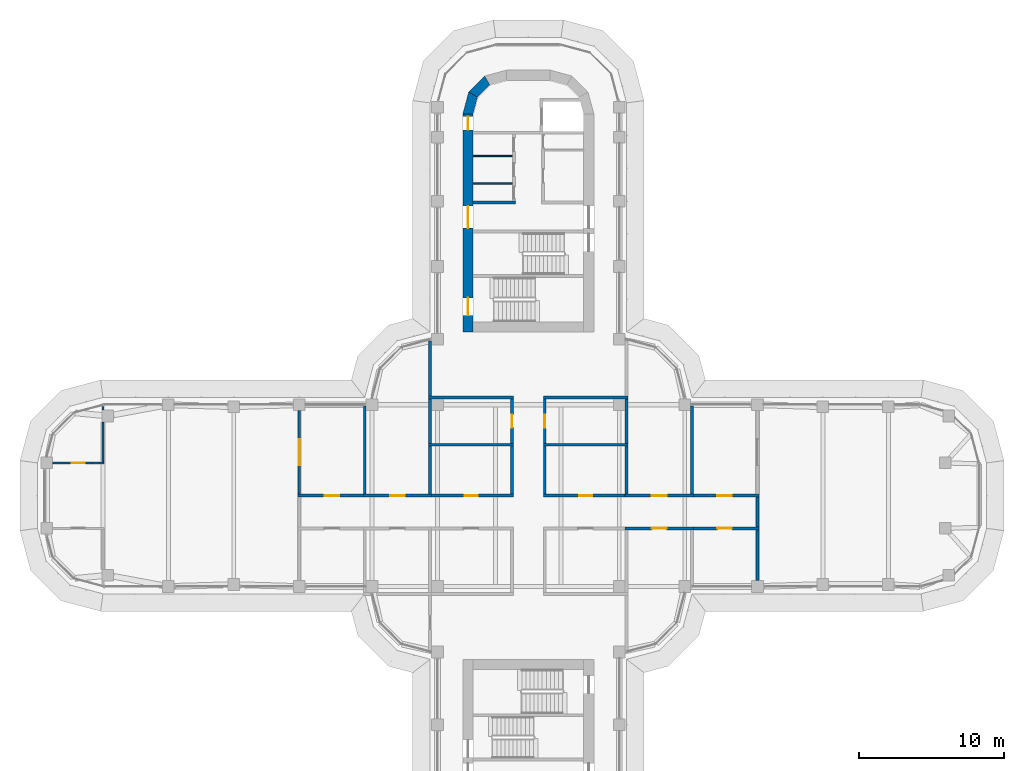
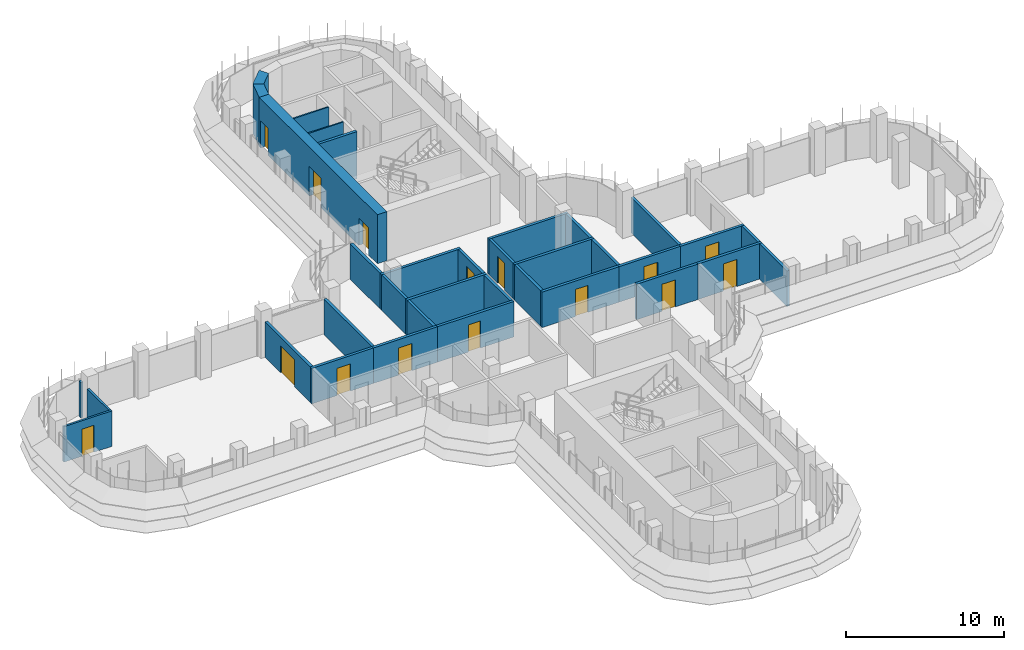
# One storey, part 14 of 19: 35 walls, 15 doors, 15 openings.
"""IFC4 building model written with IfcOpenShell, lengths in metres."""

import ifcopenshell
import ifcopenshell.guid

model = None  # the IFC model being written
_history = None  # IfcOwnerHistory: only IFC2X3 demands one
_inside = {}  # id of a spatial element -> (the spatial element, [elements in it])
_under = {}  # id of a project, library or spatial element -> (it, [spatial elements below it])
_declared = {}  # id of a project -> (the project, [libraries it declares])
_typed = {}  # id of a type object -> (the type object, [elements of that type])
_made_of = {}  # id of a material, layer set ... -> (it, [elements and type objects made of it])


def new_model(schema):
    """Start an empty IFC model of exactly this schema.

    Asked for "IFC4X3", IfcOpenShell would pick the latest addendum, in which some entities
    have other attributes; the version numbers below select the first issue.
    IFC2X3 requires an IfcOwnerHistory on every rooted entity: one is made here for all.
    """
    global model, _history
    if schema == "IFC4X3":
        model = ifcopenshell.file(schema_version=(4, 3, 0, 0))
    else:
        model = ifcopenshell.file(schema=schema)
    _inside.clear()
    _under.clear()
    _declared.clear()
    _typed.clear()
    _made_of.clear()
    _history = None
    if model.schema == "IFC2X3":
        org = make("IfcOrganization", Name="unknown")
        user = make(
            "IfcPersonAndOrganization",
            ThePerson=make("IfcPerson", FamilyName="unknown"),
            TheOrganization=org,
        )
        app = make(
            "IfcApplication",
            ApplicationDeveloper=org,
            Version="unknown",
            ApplicationFullName="unknown",
            ApplicationIdentifier="unknown",
        )
        _history = make(
            "IfcOwnerHistory",
            OwningUser=user,
            OwningApplication=app,
            ChangeAction="ADDED",
            CreationDate=0,
        )
    return model


def make(cls, **values):
    """One entity of the class cls with the attributes given. An attribute that is None is left unset."""
    return model.create_entity(
        cls, **{name: value for name, value in values.items() if value is not None}
    )


def rooted(cls, **values):
    """An entity with a GlobalId (a new one), such as an element, a storey or a relation."""
    return make(cls, GlobalId=ifcopenshell.guid.new(), OwnerHistory=_history, **values)


def si_unit(unit_type, name, prefix=None):
    """IfcSIUnit, for example si_unit("LENGTHUNIT", "METRE", prefix="MILLI")."""
    return make("IfcSIUnit", UnitType=unit_type, Prefix=prefix, Name=name)


def assignment(units):
    """IfcUnitAssignment: the units of a project."""
    return None if units is None else make("IfcUnitAssignment", Units=units)


def point(xyz):
    """IfcCartesianPoint."""
    return None if xyz is None else make("IfcCartesianPoint", Coordinates=xyz)


def direction(xyz):
    """IfcDirection."""
    return None if xyz is None else make("IfcDirection", DirectionRatios=xyz)


def frame(location, z_axis=None, x_axis=None):
    """IfcAxis2Placement3D, a coordinate frame: its origin and axes. An axis left out is left unset."""
    return make(
        "IfcAxis2Placement3D",
        Location=point(location),
        Axis=direction(z_axis),
        RefDirection=direction(x_axis),
    )


def frame_2d(location, x_axis=None):
    """IfcAxis2Placement2D, a coordinate frame in the plane: its origin and x axis."""
    return make(
        "IfcAxis2Placement2D", Location=point(location), RefDirection=direction(x_axis)
    )


def origin():
    """The frame at (0, 0, 0) with its axes left unset."""
    return frame((0.0, 0.0, 0.0))


def place(relative_to, where):
    """IfcLocalPlacement: puts the frame where relative to a parent placement (None: the world)."""
    return make(
        "IfcLocalPlacement", PlacementRelTo=relative_to, RelativePlacement=where
    )


def context(
    kind, dimensions, precision=None, world=None, true_north=None, identifier=None
):
    """IfcGeometricRepresentationContext, for example the 3D "Model" context."""
    return make(
        "IfcGeometricRepresentationContext",
        ContextIdentifier=identifier,
        ContextType=kind,
        CoordinateSpaceDimension=dimensions,
        Precision=precision,
        WorldCoordinateSystem=world,
        TrueNorth=true_north,
    )


def subcontext(parent, identifier, kind, view, scale=None):
    """IfcGeometricRepresentationSubContext, for example "Body" below "Model"."""
    return make(
        "IfcGeometricRepresentationSubContext",
        ContextIdentifier=identifier,
        ContextType=kind,
        ParentContext=parent,
        TargetScale=scale,
        TargetView=view,
    )


def project(units=None, contexts=None):
    """IfcProject with its units and contexts."""
    return rooted(
        "IfcProject",
        Name="project",
        RepresentationContexts=contexts,
        UnitsInContext=assignment(units),
    )


def spatial(cls, under=None, at=None, **own):
    """A site, building, storey or space (cls), placed at a placement, below another one or the project."""
    s = rooted(cls, ObjectPlacement=at, **own)
    if under is not None:
        _under.setdefault(under.id(), (under, []))[1].append(s)
    return s


def polyline(points):
    """IfcPolyline through the points."""
    return make("IfcPolyline", Points=[point(p) for p in points])


def profile(cls, at=None, kind="AREA", **sizes):
    """A parametric profile (cls). Its sizes go by their IFC names, for example OverallWidth=200.0."""
    return make(cls, ProfileType=kind, Position=at, **sizes)


def rectangle(**sizes):
    """IfcRectangleProfileDef."""
    return profile("IfcRectangleProfileDef", **sizes)


def outline(outer, holes=None, kind="AREA"):
    """IfcArbitraryClosedProfileDef: a profile drawn as a closed curve; with holes, ...WithVoids."""
    if holes is None:
        return make("IfcArbitraryClosedProfileDef", ProfileType=kind, OuterCurve=outer)
    return make(
        "IfcArbitraryProfileDefWithVoids",
        ProfileType=kind,
        OuterCurve=outer,
        InnerCurves=holes,
    )


def extrude(swept, where, along, depth):
    """IfcExtrudedAreaSolid: the profile swept, set in the frame where, extruded along a direction by depth."""
    return make(
        "IfcExtrudedAreaSolid",
        SweptArea=swept,
        Position=where,
        ExtrudedDirection=direction(along),
        Depth=depth,
    )


def shape(context_of_items, identifier, shape_type, items):
    """IfcShapeRepresentation: the items that make up one representation, for example the "Body"."""
    return make(
        "IfcShapeRepresentation",
        ContextOfItems=context_of_items,
        RepresentationIdentifier=identifier,
        RepresentationType=shape_type,
        Items=items,
    )


def material(Name=None, Category=None):
    """IfcMaterial."""
    return make("IfcMaterial", Name=Name, Category=Category)


def layer(
    of_material, thickness, ventilated=None, Name=None, Category=None, Priority=None
):
    """IfcMaterialLayer: one layer of a wall or slab, of a material (None: an air gap)."""
    return make(
        "IfcMaterialLayer",
        Material=of_material,
        LayerThickness=thickness,
        IsVentilated=ventilated,
        Name=Name,
        Category=Category,
        Priority=Priority,
    )


def layer_set(layers, Name=None):
    """IfcMaterialLayerSet."""
    return make("IfcMaterialLayerSet", MaterialLayers=layers, LayerSetName=Name)


def made_of(thing, what):
    """Note that an element or type object is made of a material, layer set ...; save() writes the relation."""
    if what is not None:
        _made_of.setdefault(what.id(), (what, []))[1].append(thing)
    return thing


def type_object(cls, material=None, **own):
    """A type object (cls), such as IfcWallType, which elements share."""
    return made_of(rooted(cls, **own), material)


def element(
    cls,
    number,
    at=None,
    inside=None,
    cuts=None,
    type_object=None,
    material=None,
    context=None,
    identifier="Body",
    shape_type=None,
    held_by="IfcProductDefinitionShape",
    body=None,
    shapes=None,
    **own,
):
    """One element of the class cls, such as IfcWall. Its Tag is "e" and its number.

    at: its placement. inside: the storey or other place that contains it. cuts: it is an
    opening in that element (IfcRelVoidsElement). A single representation is given by context,
    identifier, shape_type and body (its items); several are given by shapes. held_by: the class
    of the entity that holds the representations. save() writes the other relations.
    """
    e = rooted(cls, Tag="e%d" % number, ObjectPlacement=at, **own)
    if body is not None:
        shapes = [shape(context, identifier, shape_type, body)]
    if shapes is not None:
        e.Representation = make(held_by, Representations=shapes)
    if inside is not None:
        _inside.setdefault(inside.id(), (inside, []))[1].append(e)
    if cuts is not None:
        rooted(
            "IfcRelVoidsElement", RelatingBuildingElement=cuts, RelatedOpeningElement=e
        )
    if type_object is not None:
        _typed.setdefault(type_object.id(), (type_object, []))[1].append(e)
    return made_of(e, material)


def fill(opening, filler):
    """IfcRelFillsElement: the door or window that sits in an opening."""
    return rooted(
        "IfcRelFillsElement",
        RelatingOpeningElement=opening,
        RelatedBuildingElement=filler,
    )


def aggregate(whole, parts):
    """IfcRelAggregates: a whole, such as a stair, and the parts it consists of."""
    return rooted("IfcRelAggregates", RelatingObject=whole, RelatedObjects=parts)


def save(model, path):
    """Write the relations noted so far, then the file.

    IfcRelAggregates (storeys below a building ...), IfcRelContainedInSpatialStructure (elements
    in a storey), IfcRelDefinesByType, IfcRelAssociatesMaterial and IfcRelDeclares: one each for
    every whole, place, type object, material and project.
    """
    for whole, parts in _under.values():
        aggregate(whole, parts)
    for where, things in _inside.values():
        rooted(
            "IfcRelContainedInSpatialStructure",
            RelatedElements=things,
            RelatingStructure=where,
        )
    for kind, things in _typed.values():
        rooted("IfcRelDefinesByType", RelatedObjects=things, RelatingType=kind)
    for what, things in _made_of.values():
        rooted("IfcRelAssociatesMaterial", RelatedObjects=things, RelatingMaterial=what)
    for by, libraries in _declared.values():
        rooted("IfcRelDeclares", RelatingContext=by, RelatedDefinitions=libraries)
    model.write(path)


model = new_model("IFC4")

# Units and contexts
model_context = context("Model", 3, precision=1e-05, world=origin(), true_north=direction((0.0, 1.0)))
body_context = subcontext(model_context, "Body", "Model", "MODEL_VIEW")
ifc_project = project(units=[si_unit("LENGTHUNIT", "METRE"), si_unit("AREAUNIT", "SQUARE_METRE"), si_unit("VOLUMEUNIT", "CUBIC_METRE"), si_unit("PLANEANGLEUNIT", "RADIAN"), si_unit("MASSUNIT", "GRAM", prefix="KILO")], contexts=[model_context])

# Site, building, storey
site_placement = place(None, origin())
site = spatial("IfcSite", under=ifc_project, at=site_placement, CompositionType="ELEMENT")
building_placement = place(site_placement, origin())
building = spatial("IfcBuilding", under=site, at=building_placement, Name="Zarbagh Exchange Tower", CompositionType="ELEMENT")
storey_placement = place(building_placement, frame((0.0, 0.0, 160.0)))
storey = spatial("IfcBuildingStorey", under=building, at=storey_placement, Name="L38", CompositionType="ELEMENT", Elevation=160.0)

# Walls
ifc_material_1 = material(Name="Dense blockwork", Category="masonry")
ifc_layer_1 = layer(ifc_material_1, 0.10009765625)
ifc_layer_set_1 = layer_set([ifc_layer_1], Name="Core partition 100 mm blockwork")
wall_type_1 = type_object("IfcWallType", Name="Core partition 100 mm blockwork", PredefinedType="PARTITIONING", material=ifc_layer_set_1)
for number, where, z_axis, x_axis, name in (
    (1, (-3.800048828125, 23.35009765625, 0.0), (0.0, 0.0, 1.0), (1.0, 0.0, 0.0), "North core partition wall CUT-W-500"),
    (2, (-3.800048828125, 21.449951171875, 0.0), (0.0, 0.0, 1.0), (1.0, 0.0, 0.0), "North core partition wall CUT-W-690"),
):
    element("IfcWall", number, at=place(storey_placement, frame(where, z_axis=z_axis, x_axis=x_axis)), inside=storey, type_object=wall_type_1, Name=name, PredefinedType="PARTITIONING", context=body_context, shape_type="SweptSolid", body=[
        extrude(rectangle(XDim=2.699951171875, YDim=0.10009765625, at=frame_2d((1.35009765625, 0.0))), origin(), (0.0, 0.0, 1.0), 3.64990234375),
    ])

# Wall, opening, door
ifc_material_2 = material(Name="Plasterboard partition")
ifc_layer_2 = layer(ifc_material_2, 0.14990234375)
ifc_layer_set_2 = layer_set([ifc_layer_2], Name="PARTITION 150")
wall_type_2 = type_object("IfcWallType", Name="PARTITION 150", PredefinedType="PARTITIONING", material=ifc_layer_set_2)
wall_1_placement = place(storey_placement, frame((-32.7099609375, 2.25, 0.0), z_axis=(0.0, 0.0, 1.0), x_axis=(1.0, 0.0, 0.0)))
wall_1 = element("IfcWall", 3, at=wall_1_placement, inside=storey, type_object=wall_type_2, Name="Partition W-1746", PredefinedType="PARTITIONING", context=body_context, shape_type="SweptSolid", body=[
    extrude(rectangle(XDim=3.534912109375, YDim=0.14990234375, at=frame_2d((1.767578125, 0.0))), origin(), (0.0, 0.0, 1.0), 2.75),
])
opening_1_placement = place(wall_1_placement, frame((1.3173828125, 0.0, 0.0)))
opening_1 = element("IfcOpeningElement", 4, at=opening_1_placement, cuts=wall_1, Name="Opening D-1715", PredefinedType="OPENING", context=body_context, shape_type="SweptSolid", body=[
    extrude(rectangle(XDim=0.89990234375, YDim=2.10009765625, at=frame_2d((0.449951171875, 1.050048828125))), frame((0.0, 0.0849609375, 0.0), z_axis=(0.0, -1.0, 0.0), x_axis=(1.0, 0.0, 0.0)), (0.0, 0.0, 1.0), 0.169921875),
])
ifc_material_3 = material(Name="Timber door leaf", Category="wood")
door_type_1 = type_object("IfcDoorType", Name="DOOR 900 X 2100", OperationType="NOTDEFINED", PredefinedType="DOOR", material=ifc_material_3)
door_1_placement = place(opening_1_placement, origin())
door_1 = element("IfcDoor", 5, at=door_1_placement, inside=storey, type_object=door_type_1, Name="Door D-1715", OperationType="SINGLE_SWING_LEFT", OverallHeight=2.10009765625, OverallWidth=0.89990234375, PredefinedType="DOOR", context=body_context, shape_type="SweptSolid", body=[
    extrude(rectangle(XDim=0.89990234375, YDim=2.10009765625, at=frame_2d((0.449951171875, 1.050048828125))), frame((0.0, 0.02490234375, 0.0), z_axis=(0.0, -1.0, 0.0), x_axis=(1.0, 0.0, 0.0)), (0.0, 0.0, 1.0), 0.050048828125),
])
fill(opening_1, door_1)

# Walls
wall_2_placement = place(storey_placement, frame((-29.25, 2.324951171875, 0.0), z_axis=(0.0, 0.0, 1.0), x_axis=(0.0, 1.0, 0.0)))
element("IfcWall", 6, at=wall_2_placement, inside=storey, type_object=wall_type_2, Name="Partition W-1747", PredefinedType="PARTITIONING", context=body_context, shape_type="SweptSolid", body=[
    extrude(rectangle(XDim=2.75, YDim=0.14990234375, at=frame_2d((1.375, 0.0))), origin(), (0.0, 0.0, 1.0), 2.75),
])
wall_3_placement = place(storey_placement, frame((-29.25, 5.875, 0.0), z_axis=(0.0, 0.0, 1.0), x_axis=(0.0, 1.0, 0.0)))
element("IfcWall", 7, at=wall_3_placement, inside=storey, type_object=wall_type_2, Name="Partition W-1748", PredefinedType="PARTITIONING", context=body_context, shape_type="SweptSolid", body=[
    extrude(rectangle(XDim=0.2548828125, YDim=0.14990234375, at=frame_2d((0.12744140625, 0.0))), origin(), (0.0, 0.0, 1.0), 2.75),
])

# Wall, opening, door
ifc_material_4 = material(Name="Fire-rated plasterboard partition")
ifc_layer_3 = layer(ifc_material_4, 0.199951171875)
ifc_layer_set_3 = layer_set([ifc_layer_3], Name="RATED PARTITION 200")
wall_type_3 = type_object("IfcWallType", Name="RATED PARTITION 200", PredefinedType="PARTITIONING", material=ifc_layer_set_3)
wall_4_placement = place(storey_placement, frame((1.02490234375, 0.0, 0.0), z_axis=(0.0, 0.0, 1.0), x_axis=(1.0, 0.0, 0.0)))
wall_4 = element("IfcWall", 8, at=wall_4_placement, inside=storey, type_object=wall_type_3, Name="Partition W-1701", PredefinedType="PARTITIONING", context=body_context, shape_type="SweptSolid", body=[
    extrude(rectangle(XDim=5.8251953125, YDim=0.199951171875, at=frame_2d((2.91259765625, 0.0))), origin(), (0.0, 0.0, 1.0), 2.75),
])
opening_2_placement = place(wall_4_placement, frame((2.46240234375, 0.0, 0.0)))
opening_2 = element("IfcOpeningElement", 9, at=opening_2_placement, cuts=wall_4, Name="Opening D-1704", PredefinedType="OPENING", context=body_context, shape_type="SweptSolid", body=[
    extrude(rectangle(XDim=0.89990234375, YDim=2.10009765625, at=frame_2d((0.449951171875, 1.050048828125))), frame((0.0, 0.10986328125, 0.0), z_axis=(0.0, -1.0, 0.0), x_axis=(1.0, 0.0, 0.0)), (0.0, 0.0, 1.0), 0.219970703125),
])
door_2_placement = place(opening_2_placement, origin())
door_2 = element("IfcDoor", 10, at=door_2_placement, inside=storey, type_object=door_type_1, Name="Door D-1704", OperationType="SINGLE_SWING_RIGHT", OverallHeight=2.10009765625, OverallWidth=0.89990234375, PredefinedType="DOOR", context=body_context, shape_type="SweptSolid", body=[
    extrude(rectangle(XDim=0.89990234375, YDim=2.10009765625, at=frame_2d((0.449951171875, 1.050048828125))), frame((0.0, 0.02490234375, 0.0), z_axis=(0.0, -1.0, 0.0), x_axis=(1.0, 0.0, 0.0)), (0.0, 0.0, 1.0), 0.050048828125),
])
fill(opening_2, door_2)

wall_5_placement = place(storey_placement, frame((6.64990234375, 0.0, 0.0), z_axis=(0.0, 0.0, 1.0), x_axis=(1.0, 0.0, 0.0)))
wall_5 = element("IfcWall", 11, at=wall_5_placement, inside=storey, type_object=wall_type_3, Name="Partition W-1702", PredefinedType="PARTITIONING", context=body_context, shape_type="SweptSolid", body=[
    extrude(rectangle(XDim=4.7001953125, YDim=0.199951171875, at=frame_2d((2.35009765625, 0.0))), origin(), (0.0, 0.0, 1.0), 2.75),
])
opening_3_placement = place(wall_5_placement, frame((1.85009765625, 0.0, 0.0)))
opening_3 = element("IfcOpeningElement", 12, at=opening_3_placement, cuts=wall_5, Name="Opening D-1706", PredefinedType="OPENING", context=body_context, shape_type="SweptSolid", body=[
    extrude(rectangle(XDim=1.0, YDim=2.10009765625, at=frame_2d((0.5, 1.050048828125))), frame((0.0, 0.10986328125, 0.0), z_axis=(0.0, -1.0, 0.0), x_axis=(1.0, 0.0, 0.0)), (0.0, 0.0, 1.0), 0.219970703125),
])
ifc_material_5 = material(Name="Steel door set", Category="steel")
door_type_2 = type_object("IfcDoorType", Name="FIRE DOOR 1000 X 2100 FD30S", OperationType="NOTDEFINED", PredefinedType="DOOR", material=ifc_material_5)
door_3_placement = place(opening_3_placement, origin())
door_3 = element("IfcDoor", 13, at=door_3_placement, inside=storey, type_object=door_type_2, Name="Door D-1706", OperationType="SINGLE_SWING_RIGHT", OverallHeight=2.10009765625, OverallWidth=1.0, PredefinedType="DOOR", context=body_context, shape_type="SweptSolid", body=[
    extrude(rectangle(XDim=1.0, YDim=2.10009765625, at=frame_2d((0.5, 1.050048828125))), frame((0.0, 0.02490234375, 0.0), z_axis=(0.0, -1.0, 0.0), x_axis=(1.0, 0.0, 0.0)), (0.0, 0.0, 1.0), 0.050048828125),
])
fill(opening_3, door_3)

wall_6_placement = place(storey_placement, frame((-6.85009765625, 0.0, 0.0), z_axis=(0.0, 0.0, 1.0), x_axis=(1.0, 0.0, 0.0)))
wall_6 = element("IfcWall", 14, at=wall_6_placement, inside=storey, type_object=wall_type_3, Name="Partition W-1703", PredefinedType="PARTITIONING", context=body_context, shape_type="SweptSolid", body=[
    extrude(rectangle(XDim=5.8251953125, YDim=0.199951171875, at=frame_2d((2.91259765625, 0.0))), origin(), (0.0, 0.0, 1.0), 2.75),
])
opening_4_placement = place(wall_6_placement, frame((2.46240234375, 0.0, 0.0)))
opening_4 = element("IfcOpeningElement", 15, at=opening_4_placement, cuts=wall_6, Name="Opening D-1707", PredefinedType="OPENING", context=body_context, shape_type="SweptSolid", body=[
    extrude(rectangle(XDim=0.89990234375, YDim=2.10009765625, at=frame_2d((0.449951171875, 1.050048828125))), frame((0.0, 0.10986328125, 0.0), z_axis=(0.0, -1.0, 0.0), x_axis=(1.0, 0.0, 0.0)), (0.0, 0.0, 1.0), 0.219970703125),
])
door_4_placement = place(opening_4_placement, origin())
door_4 = element("IfcDoor", 16, at=door_4_placement, inside=storey, type_object=door_type_1, Name="Door D-1707", OperationType="SINGLE_SWING_RIGHT", OverallHeight=2.10009765625, OverallWidth=0.89990234375, PredefinedType="DOOR", context=body_context, shape_type="SweptSolid", body=[
    extrude(rectangle(XDim=0.89990234375, YDim=2.10009765625, at=frame_2d((0.449951171875, 1.050048828125))), frame((0.0, 0.02490234375, 0.0), z_axis=(0.0, -1.0, 0.0), x_axis=(1.0, 0.0, 0.0)), (0.0, 0.0, 1.0), 0.050048828125),
])
fill(opening_4, door_4)

wall_7_placement = place(storey_placement, frame((-11.35009765625, 0.0, 0.0), z_axis=(0.0, 0.0, 1.0), x_axis=(1.0, 0.0, 0.0)))
wall_7 = element("IfcWall", 17, at=wall_7_placement, inside=storey, type_object=wall_type_3, Name="Partition W-1704", PredefinedType="PARTITIONING", context=body_context, shape_type="SweptSolid", body=[
    extrude(rectangle(XDim=4.7001953125, YDim=0.199951171875, at=frame_2d((2.35009765625, 0.0))), origin(), (0.0, 0.0, 1.0), 2.75),
])
opening_5_placement = place(wall_7_placement, frame((1.85009765625, 0.0, 0.0)))
opening_5 = element("IfcOpeningElement", 18, at=opening_5_placement, cuts=wall_7, Name="Opening D-1709", PredefinedType="OPENING", context=body_context, shape_type="SweptSolid", body=[
    extrude(rectangle(XDim=1.0, YDim=2.10009765625, at=frame_2d((0.5, 1.050048828125))), frame((0.0, 0.10986328125, 0.0), z_axis=(0.0, -1.0, 0.0), x_axis=(1.0, 0.0, 0.0)), (0.0, 0.0, 1.0), 0.219970703125),
])
door_5_placement = place(opening_5_placement, origin())
door_5 = element("IfcDoor", 19, at=door_5_placement, inside=storey, type_object=door_type_2, Name="Door D-1709", OperationType="SINGLE_SWING_RIGHT", OverallHeight=2.10009765625, OverallWidth=1.0, PredefinedType="DOOR", context=body_context, shape_type="SweptSolid", body=[
    extrude(rectangle(XDim=1.0, YDim=2.10009765625, at=frame_2d((0.5, 1.050048828125))), frame((0.0, 0.02490234375, 0.0), z_axis=(0.0, -1.0, 0.0), x_axis=(1.0, 0.0, 0.0)), (0.0, 0.0, 1.0), 0.050048828125),
])
fill(opening_5, door_5)

wall_8_placement = place(storey_placement, frame((11.35009765625, -2.25, 0.0), z_axis=(0.0, 0.0, 1.0), x_axis=(-1.0, 0.0, 0.0)))
wall_8 = element("IfcWall", 20, at=wall_8_placement, inside=storey, type_object=wall_type_3, Name="Partition W-1706", PredefinedType="PARTITIONING", context=body_context, shape_type="SweptSolid", body=[
    extrude(rectangle(XDim=4.7001953125, YDim=0.199951171875, at=frame_2d((2.35009765625, 0.0))), origin(), (0.0, 0.0, 1.0), 2.75),
])
opening_6_placement = place(wall_8_placement, frame((1.85009765625, 0.0, 0.0)))
opening_6 = element("IfcOpeningElement", 21, at=opening_6_placement, cuts=wall_8, Name="Opening D-1711", PredefinedType="OPENING", context=body_context, shape_type="SweptSolid", body=[
    extrude(rectangle(XDim=1.0, YDim=2.10009765625, at=frame_2d((0.5, 1.050048828125))), frame((0.0, 0.10986328125, 0.0), z_axis=(0.0, -1.0, 0.0), x_axis=(1.0, 0.0, 0.0)), (0.0, 0.0, 1.0), 0.219970703125),
])
door_6_placement = place(opening_6_placement, origin())
door_6 = element("IfcDoor", 22, at=door_6_placement, inside=storey, type_object=door_type_2, Name="Door D-1711", OperationType="SINGLE_SWING_RIGHT", OverallHeight=2.10009765625, OverallWidth=1.0, PredefinedType="DOOR", context=body_context, shape_type="SweptSolid", body=[
    extrude(rectangle(XDim=1.0, YDim=2.10009765625, at=frame_2d((0.5, 1.050048828125))), frame((0.0, 0.02490234375, 0.0), z_axis=(0.0, -1.0, 0.0), x_axis=(1.0, 0.0, 0.0)), (0.0, 0.0, 1.0), 0.050048828125),
])
fill(opening_6, door_6)

wall_9_placement = place(storey_placement, frame((11.14990234375, 0.0, 0.0), z_axis=(0.0, 0.0, 1.0), x_axis=(1.0, 0.0, 0.0)))
wall_9 = element("IfcWall", 23, at=wall_9_placement, inside=storey, type_object=wall_type_3, Name="Partition W-1709", PredefinedType="PARTITIONING", context=body_context, shape_type="SweptSolid", body=[
    extrude(rectangle(XDim=4.7001953125, YDim=0.199951171875, at=frame_2d((2.35009765625, 0.0))), origin(), (0.0, 0.0, 1.0), 2.75),
])
opening_7_placement = place(wall_9_placement, frame((1.85009765625, 0.0, 0.0)))
opening_7 = element("IfcOpeningElement", 24, at=opening_7_placement, cuts=wall_9, Name="Opening D-1702", PredefinedType="OPENING", context=body_context, shape_type="SweptSolid", body=[
    extrude(rectangle(XDim=1.0, YDim=2.10009765625, at=frame_2d((0.5, 1.050048828125))), frame((0.0, 0.10986328125, 0.0), z_axis=(0.0, -1.0, 0.0), x_axis=(1.0, 0.0, 0.0)), (0.0, 0.0, 1.0), 0.219970703125),
])
door_7_placement = place(opening_7_placement, origin())
door_7 = element("IfcDoor", 25, at=door_7_placement, inside=storey, type_object=door_type_2, Name="Door D-1702", OperationType="SINGLE_SWING_RIGHT", OverallHeight=2.10009765625, OverallWidth=1.0, PredefinedType="DOOR", context=body_context, shape_type="SweptSolid", body=[
    extrude(rectangle(XDim=1.0, YDim=2.10009765625, at=frame_2d((0.5, 1.050048828125))), frame((0.0, 0.02490234375, 0.0), z_axis=(0.0, -1.0, 0.0), x_axis=(1.0, 0.0, 0.0)), (0.0, 0.0, 1.0), 0.050048828125),
])
fill(opening_7, door_7)

wall_10_placement = place(storey_placement, frame((15.85009765625, -2.25, 0.0), z_axis=(0.0, 0.0, 1.0), x_axis=(-1.0, 0.0, 0.0)))
wall_10 = element("IfcWall", 26, at=wall_10_placement, inside=storey, type_object=wall_type_3, Name="Partition W-1710", PredefinedType="PARTITIONING", context=body_context, shape_type="SweptSolid", body=[
    extrude(rectangle(XDim=4.7001953125, YDim=0.199951171875, at=frame_2d((2.35009765625, 0.0))), origin(), (0.0, 0.0, 1.0), 2.75),
])
opening_8_placement = place(wall_10_placement, frame((1.85009765625, 0.0, 0.0)))
opening_8 = element("IfcOpeningElement", 27, at=opening_8_placement, cuts=wall_10, Name="Opening D-1703", PredefinedType="OPENING", context=body_context, shape_type="SweptSolid", body=[
    extrude(rectangle(XDim=1.0, YDim=2.10009765625, at=frame_2d((0.5, 1.050048828125))), frame((0.0, 0.10986328125, 0.0), z_axis=(0.0, -1.0, 0.0), x_axis=(1.0, 0.0, 0.0)), (0.0, 0.0, 1.0), 0.219970703125),
])
door_8_placement = place(opening_8_placement, origin())
door_8 = element("IfcDoor", 28, at=door_8_placement, inside=storey, type_object=door_type_2, Name="Door D-1703", OperationType="SINGLE_SWING_RIGHT", OverallHeight=2.10009765625, OverallWidth=1.0, PredefinedType="DOOR", context=body_context, shape_type="SweptSolid", body=[
    extrude(rectangle(XDim=1.0, YDim=2.10009765625, at=frame_2d((0.5, 1.050048828125))), frame((0.0, 0.02490234375, 0.0), z_axis=(0.0, -1.0, 0.0), x_axis=(1.0, 0.0, 0.0)), (0.0, 0.0, 1.0), 0.050048828125),
])
fill(opening_8, door_8)

# Wall
wall_11_placement = place(storey_placement, frame((15.75, -2.14990234375, 0.0), z_axis=(0.0, 0.0, 1.0), x_axis=(0.0, 1.0, 0.0)))
element("IfcWall", 29, at=wall_11_placement, inside=storey, type_object=wall_type_3, Name="Partition W-1711", PredefinedType="PARTITIONING", context=body_context, shape_type="SweptSolid", body=[
    extrude(rectangle(XDim=2.0498046875, YDim=0.199951171875, at=frame_2d((1.02490234375, 0.0))), origin(), (0.0, 0.0, 1.0), 2.75),
])

# Wall, opening, door
wall_12_placement = place(storey_placement, frame((-15.85009765625, 0.0, 0.0), z_axis=(0.0, 0.0, 1.0), x_axis=(1.0, 0.0, 0.0)))
wall_12 = element("IfcWall", 30, at=wall_12_placement, inside=storey, type_object=wall_type_3, Name="Partition W-1712", PredefinedType="PARTITIONING", context=body_context, shape_type="SweptSolid", body=[
    extrude(rectangle(XDim=4.7001953125, YDim=0.199951171875, at=frame_2d((2.35009765625, 0.0))), origin(), (0.0, 0.0, 1.0), 2.75),
])
opening_9_placement = place(wall_12_placement, frame((1.85009765625, 0.0, 0.0)))
opening_9 = element("IfcOpeningElement", 31, at=opening_9_placement, cuts=wall_12, Name="Opening D-1718", PredefinedType="OPENING", context=body_context, shape_type="SweptSolid", body=[
    extrude(rectangle(XDim=1.0, YDim=2.10009765625, at=frame_2d((0.5, 1.050048828125))), frame((0.0, 0.10986328125, 0.0), z_axis=(0.0, -1.0, 0.0), x_axis=(1.0, 0.0, 0.0)), (0.0, 0.0, 1.0), 0.219970703125),
])
door_9_placement = place(opening_9_placement, origin())
door_9 = element("IfcDoor", 32, at=door_9_placement, inside=storey, type_object=door_type_2, Name="Door D-1718", OperationType="SINGLE_SWING_RIGHT", OverallHeight=2.10009765625, OverallWidth=1.0, PredefinedType="DOOR", context=body_context, shape_type="SweptSolid", body=[
    extrude(rectangle(XDim=1.0, YDim=2.10009765625, at=frame_2d((0.5, 1.050048828125))), frame((0.0, 0.02490234375, 0.0), z_axis=(0.0, -1.0, 0.0), x_axis=(1.0, 0.0, 0.0)), (0.0, 0.0, 1.0), 0.050048828125),
])
fill(opening_9, door_9)

# Wall
wall_13_placement = place(storey_placement, frame((1.125, 0.10009765625, 0.0), z_axis=(0.0, 0.0, 1.0), x_axis=(0.0, 1.0, 0.0)))
element("IfcWall", 33, at=wall_13_placement, inside=storey, type_object=wall_type_3, Name="Partition W-1715", PredefinedType="PARTITIONING", context=body_context, shape_type="SweptSolid", body=[
    extrude(rectangle(XDim=3.2998046875, YDim=0.199951171875, at=frame_2d((1.64990234375, 0.0))), origin(), (0.0, 0.0, 1.0), 2.75),
])

# Wall, opening, door
wall_14_placement = place(storey_placement, frame((1.125, 6.64990234375, 0.0), z_axis=(0.0, 0.0, 1.0), x_axis=(0.0, -1.0, 0.0)))
wall_14 = element("IfcWall", 34, at=wall_14_placement, inside=storey, type_object=wall_type_3, Name="Partition W-1716", PredefinedType="PARTITIONING", context=body_context, shape_type="SweptSolid", body=[
    extrude(rectangle(XDim=3.0498046875, YDim=0.199951171875, at=frame_2d((1.52490234375, 0.0))), origin(), (0.0, 0.0, 1.0), 2.75),
])
opening_10_placement = place(wall_14_placement, frame((1.074951171875, 0.0, 0.0)))
opening_10 = element("IfcOpeningElement", 35, at=opening_10_placement, cuts=wall_14, Name="Opening D-1705", PredefinedType="OPENING", context=body_context, shape_type="SweptSolid", body=[
    extrude(rectangle(XDim=0.89990234375, YDim=2.10009765625, at=frame_2d((0.449951171875, 1.050048828125))), frame((0.0, 0.10986328125, 0.0), z_axis=(0.0, -1.0, 0.0), x_axis=(1.0, 0.0, 0.0)), (0.0, 0.0, 1.0), 0.219970703125),
])
door_10_placement = place(opening_10_placement, origin())
door_10 = element("IfcDoor", 36, at=door_10_placement, inside=storey, type_object=door_type_1, Name="Door D-1705", OperationType="SINGLE_SWING_RIGHT", OverallHeight=2.10009765625, OverallWidth=0.89990234375, PredefinedType="DOOR", context=body_context, shape_type="SweptSolid", body=[
    extrude(rectangle(XDim=0.89990234375, YDim=2.10009765625, at=frame_2d((0.449951171875, 1.050048828125))), frame((0.0, 0.02490234375, 0.0), z_axis=(0.0, -1.0, 0.0), x_axis=(1.0, 0.0, 0.0)), (0.0, 0.0, 1.0), 0.050048828125),
])
fill(opening_10, door_10)

# Wall
wall_15_placement = place(storey_placement, frame((-1.125, 0.10009765625, 0.0), z_axis=(0.0, 0.0, 1.0), x_axis=(0.0, 1.0, 0.0)))
element("IfcWall", 37, at=wall_15_placement, inside=storey, type_object=wall_type_3, Name="Partition W-1717", PredefinedType="PARTITIONING", context=body_context, shape_type="SweptSolid", body=[
    extrude(rectangle(XDim=3.2998046875, YDim=0.199951171875, at=frame_2d((1.64990234375, 0.0))), origin(), (0.0, 0.0, 1.0), 2.75),
])

# Wall, opening, door
wall_16_placement = place(storey_placement, frame((-1.125, 3.60009765625, 0.0), z_axis=(0.0, 0.0, 1.0), x_axis=(0.0, 1.0, 0.0)))
wall_16 = element("IfcWall", 38, at=wall_16_placement, inside=storey, type_object=wall_type_3, Name="Partition W-1718", PredefinedType="PARTITIONING", context=body_context, shape_type="SweptSolid", body=[
    extrude(rectangle(XDim=3.0498046875, YDim=0.199951171875, at=frame_2d((1.52490234375, 0.0))), origin(), (0.0, 0.0, 1.0), 2.75),
])
opening_11_placement = place(wall_16_placement, frame((1.074951171875, 0.0, 0.0)))
opening_11 = element("IfcOpeningElement", 39, at=opening_11_placement, cuts=wall_16, Name="Opening D-1708", PredefinedType="OPENING", context=body_context, shape_type="SweptSolid", body=[
    extrude(rectangle(XDim=0.89990234375, YDim=2.10009765625, at=frame_2d((0.449951171875, 1.050048828125))), frame((0.0, 0.10986328125, 0.0), z_axis=(0.0, -1.0, 0.0), x_axis=(1.0, 0.0, 0.0)), (0.0, 0.0, 1.0), 0.219970703125),
])
door_11_placement = place(opening_11_placement, origin())
door_11 = element("IfcDoor", 40, at=door_11_placement, inside=storey, type_object=door_type_1, Name="Door D-1708", OperationType="SINGLE_SWING_LEFT", OverallHeight=2.10009765625, OverallWidth=0.89990234375, PredefinedType="DOOR", context=body_context, shape_type="SweptSolid", body=[
    extrude(rectangle(XDim=0.89990234375, YDim=2.10009765625, at=frame_2d((0.449951171875, 1.050048828125))), frame((0.0, 0.02490234375, 0.0), z_axis=(0.0, -1.0, 0.0), x_axis=(1.0, 0.0, 0.0)), (0.0, 0.0, 1.0), 0.050048828125),
])
fill(opening_11, door_11)

# Walls
for number, where, z_axis, x_axis, name in (
    (41, (1.02490234375, 6.75, 0.0), (0.0, 0.0, 1.0), (1.0, 0.0, 0.0), "Partition W-1721"),
    (42, (-6.85009765625, 6.75, 0.0), (0.0, 0.0, 1.0), (1.0, 0.0, 0.0), "Partition W-1723"),
):
    element("IfcWall", number, at=place(storey_placement, frame(where, z_axis=z_axis, x_axis=x_axis)), inside=storey, type_object=wall_type_3, Name=name, PredefinedType="PARTITIONING", context=body_context, shape_type="SweptSolid", body=[
        extrude(rectangle(XDim=5.8251953125, YDim=0.199951171875, at=frame_2d((2.91259765625, 0.0))), origin(), (0.0, 0.0, 1.0), 2.75),
    ])
wall_17_placement = place(storey_placement, frame((-6.75, 6.85009765625, 0.0), z_axis=(0.0, 0.0, 1.0), x_axis=(0.0, 1.0, 0.0)))
element("IfcWall", 43, at=wall_17_placement, inside=storey, type_object=wall_type_3, Name="Partition W-1724", PredefinedType="PARTITIONING", context=body_context, shape_type="SweptSolid", body=[
    extrude(rectangle(XDim=3.77978515625, YDim=0.199951171875, at=frame_2d((1.889892578125, 0.0))), origin(), (0.0, 0.0, 1.0), 2.75),
])
wall_18_placement = place(storey_placement, frame((1.02490234375, 3.5, 0.0), z_axis=(0.0, 0.0, 1.0), x_axis=(1.0, 0.0, 0.0)))
element("IfcWall", 44, at=wall_18_placement, inside=storey, type_object=wall_type_3, Name="Partition W-1729", PredefinedType="PARTITIONING", context=body_context, shape_type="SweptSolid", body=[
    extrude(rectangle(XDim=5.8251953125, YDim=0.199951171875, at=frame_2d((2.91259765625, 0.0))), origin(), (0.0, 0.0, 1.0), 2.75),
])
wall_19_placement = place(storey_placement, frame((6.75, 0.10009765625, 0.0), z_axis=(0.0, 0.0, 1.0), x_axis=(0.0, 1.0, 0.0)))
element("IfcWall", 45, at=wall_19_placement, inside=storey, type_object=wall_type_3, Name="Partition W-1730", PredefinedType="PARTITIONING", context=body_context, shape_type="SweptSolid", body=[
    extrude(rectangle(XDim=3.2998046875, YDim=0.199951171875, at=frame_2d((1.64990234375, 0.0))), origin(), (0.0, 0.0, 1.0), 2.75),
])
wall_20_placement = place(storey_placement, frame((6.75, 3.60009765625, 0.0), z_axis=(0.0, 0.0, 1.0), x_axis=(0.0, 1.0, 0.0)))
element("IfcWall", 46, at=wall_20_placement, inside=storey, type_object=wall_type_3, Name="Partition W-1731", PredefinedType="PARTITIONING", context=body_context, shape_type="SweptSolid", body=[
    extrude(rectangle(XDim=3.0498046875, YDim=0.199951171875, at=frame_2d((1.52490234375, 0.0))), origin(), (0.0, 0.0, 1.0), 2.75),
])
wall_21_placement = place(storey_placement, frame((11.25, 0.10009765625, 0.0), z_axis=(0.0, 0.0, 1.0), x_axis=(0.0, 1.0, 0.0)))
element("IfcWall", 47, at=wall_21_placement, inside=storey, type_object=wall_type_3, Name="Partition W-1732", PredefinedType="PARTITIONING", context=body_context, shape_type="SweptSolid", body=[
    extrude(rectangle(XDim=6.06982421875, YDim=0.199951171875, at=frame_2d((3.034912109375, 0.0))), origin(), (0.0, 0.0, 1.0), 2.75),
])
wall_22_placement = place(storey_placement, frame((-6.85009765625, 3.5, 0.0), z_axis=(0.0, 0.0, 1.0), x_axis=(1.0, 0.0, 0.0)))
element("IfcWall", 48, at=wall_22_placement, inside=storey, type_object=wall_type_3, Name="Partition W-1733", PredefinedType="PARTITIONING", context=body_context, shape_type="SweptSolid", body=[
    extrude(rectangle(XDim=5.8251953125, YDim=0.199951171875, at=frame_2d((2.91259765625, 0.0))), origin(), (0.0, 0.0, 1.0), 2.75),
])
wall_23_placement = place(storey_placement, frame((-6.75, 0.10009765625, 0.0), z_axis=(0.0, 0.0, 1.0), x_axis=(0.0, 1.0, 0.0)))
element("IfcWall", 49, at=wall_23_placement, inside=storey, type_object=wall_type_3, Name="Partition W-1734", PredefinedType="PARTITIONING", context=body_context, shape_type="SweptSolid", body=[
    extrude(rectangle(XDim=3.2998046875, YDim=0.199951171875, at=frame_2d((1.64990234375, 0.0))), origin(), (0.0, 0.0, 1.0), 2.75),
])
wall_24_placement = place(storey_placement, frame((-6.75, 3.60009765625, 0.0), z_axis=(0.0, 0.0, 1.0), x_axis=(0.0, 1.0, 0.0)))
element("IfcWall", 50, at=wall_24_placement, inside=storey, type_object=wall_type_3, Name="Partition W-1735", PredefinedType="PARTITIONING", context=body_context, shape_type="SweptSolid", body=[
    extrude(rectangle(XDim=3.0498046875, YDim=0.199951171875, at=frame_2d((1.52490234375, 0.0))), origin(), (0.0, 0.0, 1.0), 2.75),
])
wall_25_placement = place(storey_placement, frame((-11.25, 0.10009765625, 0.0), z_axis=(0.0, 0.0, 1.0), x_axis=(0.0, 1.0, 0.0)))
element("IfcWall", 51, at=wall_25_placement, inside=storey, type_object=wall_type_3, Name="Partition W-1736", PredefinedType="PARTITIONING", context=body_context, shape_type="SweptSolid", body=[
    extrude(rectangle(XDim=6.06982421875, YDim=0.199951171875, at=frame_2d((3.034912109375, 0.0))), origin(), (0.0, 0.0, 1.0), 2.75),
])
wall_26_placement = place(storey_placement, frame((15.75, -5.85009765625, 0.0), z_axis=(0.0, 0.0, 1.0), x_axis=(0.0, 1.0, 0.0)))
element("IfcWall", 52, at=wall_26_placement, inside=storey, type_object=wall_type_3, Name="Partition W-1743", PredefinedType="PARTITIONING", context=body_context, shape_type="SweptSolid", body=[
    extrude(rectangle(XDim=3.5, YDim=0.199951171875, at=frame_2d((1.75, 0.0))), origin(), (0.0, 0.0, 1.0), 2.75),
])

# Wall, opening, door
wall_27_placement = place(storey_placement, frame((-15.75, 0.10009765625, 0.0), z_axis=(0.0, 0.0, 1.0), x_axis=(0.0, 1.0, 0.0)))
wall_27 = element("IfcWall", 53, at=wall_27_placement, inside=storey, type_object=wall_type_3, Name="Partition W-1744", PredefinedType="PARTITIONING", context=body_context, shape_type="SweptSolid", body=[
    extrude(rectangle(XDim=5.75, YDim=0.199951171875, at=frame_2d((2.875, 0.0))), origin(), (0.0, 0.0, 1.0), 2.75),
])
opening_12_placement = place(wall_27_placement, frame((1.97509765625, 0.0, 0.0)))
opening_12 = element("IfcOpeningElement", 54, at=opening_12_placement, cuts=wall_27, Name="Opening D-1717", PredefinedType="OPENING", context=body_context, shape_type="SweptSolid", body=[
    extrude(rectangle(XDim=1.800048828125, YDim=2.10009765625, at=frame_2d((0.89990234375, 1.050048828125))), frame((0.0, 0.10986328125, 0.0), z_axis=(0.0, -1.0, 0.0), x_axis=(1.0, 0.0, 0.0)), (0.0, 0.0, 1.0), 0.219970703125),
])
door_type_3 = type_object("IfcDoorType", Name="FIRE DOUBLE DOOR 1800 X 2100 FD30S", OperationType="DOUBLE_DOOR_SINGLE_SWING", PredefinedType="DOOR", material=ifc_material_5)
door_12_placement = place(opening_12_placement, origin())
door_12 = element("IfcDoor", 55, at=door_12_placement, inside=storey, type_object=door_type_3, Name="Door D-1717", OperationType="DOUBLE_DOOR_SINGLE_SWING", OverallHeight=2.10009765625, OverallWidth=1.800048828125, PredefinedType="DOOR", context=body_context, shape_type="SweptSolid", body=[
    extrude(rectangle(XDim=1.800048828125, YDim=2.10009765625, at=frame_2d((0.89990234375, 1.050048828125))), frame((0.0, 0.02490234375, 0.0), z_axis=(0.0, -1.0, 0.0), x_axis=(1.0, 0.0, 0.0)), (0.0, 0.0, 1.0), 0.050048828125),
])
fill(opening_12, door_12)

# Walls
ifc_material_6 = material(Name="Concrete C50/60", Category="concrete")
ifc_layer_4 = layer(ifc_material_6, 0.699951171875)
ifc_layer_set_4 = layer_set([ifc_layer_4], Name="RC core corner wall 700 C50/60")
wall_type_4 = type_object("IfcWallType", Name="RC core corner wall 700 C50/60", PredefinedType="SHEAR", material=ifc_layer_set_4)
wall_28_placement = place(storey_placement, origin())
element("IfcWall", 56, at=wall_28_placement, inside=storey, type_object=wall_type_4, Name="CW6 core N corner W", PredefinedType="SHEAR", context=body_context, shape_type="SweptSolid", body=[
    extrude(outline(polyline([(-4.5, 26.25), (-4.09814453125, 27.75), (-3.491943359375, 27.39990234375), (-3.800048828125, 26.25), (-4.5, 26.25)])), origin(), (0.0, 0.0, 1.0), 3.800048828125),
])
wall_29_placement = place(storey_placement, origin())
element("IfcWall", 57, at=wall_29_placement, inside=storey, type_object=wall_type_4, Name="CW6 core N corner W", PredefinedType="SHEAR", context=body_context, shape_type="SweptSolid", body=[
    extrude(outline(polyline([(-4.09814453125, 27.75), (-3.0, 28.84814453125), (-2.64990234375, 28.241943359375), (-3.491943359375, 27.39990234375), (-4.09814453125, 27.75)])), origin(), (0.0, 0.0, 1.0), 3.800048828125),
])

# Wall, openings, doors
ifc_layer_5 = layer(ifc_material_6, 0.699951171875)
ifc_layer_set_5 = layer_set([ifc_layer_5], Name="RC core wall 700 C50/60")
wall_type_5 = type_object("IfcWallType", Name="RC core wall 700 C50/60", PredefinedType="SHEAR", material=ifc_layer_set_5)
wall_30_placement = place(storey_placement, frame((-4.14990234375, 11.25, 0.0), z_axis=(0.0, 0.0, 1.0), x_axis=(0.0, 1.0, 0.0)))
wall_30 = element("IfcWall", 58, at=wall_30_placement, inside=storey, type_object=wall_type_5, Name="CW5 core N W", PredefinedType="SHEAR", context=body_context, shape_type="SweptSolid", body=[
    extrude(rectangle(XDim=15.0, YDim=0.699951171875, at=frame_2d((7.5, 0.0))), origin(), (0.0, 0.0, 1.0), 3.800048828125),
])
opening_13_placement = place(wall_30_placement, frame((7.14990234375, 0.0, 0.0)))
opening_13 = element("IfcOpeningElement", 59, at=opening_13_placement, cuts=wall_30, Name="Opening CD1-1500", PredefinedType="OPENING", context=body_context, shape_type="SweptSolid", body=[
    extrude(rectangle(XDim=1.5, YDim=2.300048828125, at=frame_2d((0.75, 1.14990234375))), frame((0.0, 0.35986328125, 0.0), z_axis=(0.0, -1.0, 0.0), x_axis=(1.0, 0.0, 0.0)), (0.0, 0.0, 1.0), 0.719970703125),
])
opening_14_placement = place(wall_30_placement, frame((13.89990234375, 0.0, 0.0)))
opening_14 = element("IfcOpeningElement", 60, at=opening_14_placement, cuts=wall_30, Name="Opening CD2-900", PredefinedType="OPENING", context=body_context, shape_type="SweptSolid", body=[
    extrude(rectangle(XDim=0.89990234375, YDim=2.10009765625, at=frame_2d((0.449951171875, 1.050048828125))), frame((0.0, 0.35986328125, 0.0), z_axis=(0.0, -1.0, 0.0), x_axis=(1.0, 0.0, 0.0)), (0.0, 0.0, 1.0), 0.719970703125),
])
opening_15_placement = place(wall_30_placement, frame((1.14990234375, 0.0, 0.0)))
opening_15 = element("IfcOpeningElement", 61, at=opening_15_placement, cuts=wall_30, Name="Opening SD1-1200", PredefinedType="OPENING", context=body_context, shape_type="SweptSolid", body=[
    extrude(rectangle(XDim=1.199951171875, YDim=2.10009765625, at=frame_2d((0.60009765625, 1.050048828125))), frame((0.0, 0.35986328125, 0.0), z_axis=(0.0, -1.0, 0.0), x_axis=(1.0, 0.0, 0.0)), (0.0, 0.0, 1.0), 0.719970703125),
])
ifc_material_7 = material(Name="Steel", Category="steel")
door_type_4 = type_object("IfcDoorType", Name="Exit stair door 1200 x 2100", OperationType="NOTDEFINED", PredefinedType="DOOR", material=ifc_material_7)
door_13_placement = place(opening_15_placement, origin())
door_13 = element("IfcDoor", 62, at=door_13_placement, inside=storey, type_object=door_type_4, Name="North core stair door ST2", OperationType="SINGLE_SWING_LEFT", OverallHeight=2.10009765625, OverallWidth=1.199951171875, PredefinedType="DOOR", context=body_context, shape_type="SweptSolid", body=[
    extrude(rectangle(XDim=1.199951171875, YDim=2.10009765625, at=frame_2d((0.60009765625, 1.050048828125))), frame((0.0, 0.02490234375, 0.0), z_axis=(0.0, -1.0, 0.0), x_axis=(1.0, 0.0, 0.0)), (0.0, 0.0, 1.0), 0.050048828125),
])
fill(opening_15, door_13)
door_type_5 = type_object("IfcDoorType", Name="Firefighting lobby door 900 x 2100", OperationType="NOTDEFINED", PredefinedType="DOOR", material=ifc_material_7)
door_14_placement = place(opening_14_placement, origin())
door_14 = element("IfcDoor", 63, at=door_14_placement, inside=storey, type_object=door_type_5, Name="North core firefighting lobby door FF-W", OperationType="SINGLE_SWING_LEFT", OverallHeight=2.10009765625, OverallWidth=0.89990234375, PredefinedType="DOOR", context=body_context, shape_type="SweptSolid", body=[
    extrude(rectangle(XDim=0.89990234375, YDim=2.10009765625, at=frame_2d((0.449951171875, 1.050048828125))), frame((0.0, 0.02490234375, 0.0), z_axis=(0.0, -1.0, 0.0), x_axis=(1.0, 0.0, 0.0)), (0.0, 0.0, 1.0), 0.050048828125),
])
fill(opening_14, door_14)
door_type_6 = type_object("IfcDoorType", Name="Lift lobby double door 1500 x 2300", OperationType="NOTDEFINED", PredefinedType="DOOR", material=ifc_material_7)
door_15_placement = place(opening_13_placement, origin())
door_15 = element("IfcDoor", 64, at=door_15_placement, inside=storey, type_object=door_type_6, Name="North core lift lobby door LOBBY-W", OperationType="DOUBLE_DOOR_SINGLE_SWING", OverallHeight=2.300048828125, OverallWidth=1.5, PredefinedType="DOOR", context=body_context, shape_type="SweptSolid", body=[
    extrude(rectangle(XDim=1.5, YDim=2.300048828125, at=frame_2d((0.75, 1.14990234375))), frame((0.0, 0.02490234375, 0.0), z_axis=(0.0, -1.0, 0.0), x_axis=(1.0, 0.0, 0.0)), (0.0, 0.0, 1.0), 0.050048828125),
])
fill(opening_13, door_15)

# Wall
ifc_layer_6 = layer(ifc_material_1, 0.199951171875)
ifc_layer_set_6 = layer_set([ifc_layer_6], Name="Shaft wall 200 mm blockwork")
wall_type_6 = type_object("IfcWallType", Name="Shaft wall 200 mm blockwork", PredefinedType="PARTITIONING", material=ifc_layer_set_6)
wall_31_placement = place(storey_placement, frame((-3.800048828125, 20.14990234375, 0.0), z_axis=(0.0, 0.0, 1.0), x_axis=(1.0, 0.0, 0.0)))
element("IfcWall", 65, at=wall_31_placement, inside=storey, type_object=wall_type_6, Name="North core shaft wall AB-W", PredefinedType="PARTITIONING", context=body_context, shape_type="SweptSolid", body=[
    extrude(rectangle(XDim=2.900146484375, YDim=0.199951171875, at=frame_2d((1.4501953125, 0.0))), origin(), (0.0, 0.0, 1.0), 3.64990234375),
])

save(model, "model.ifc")
